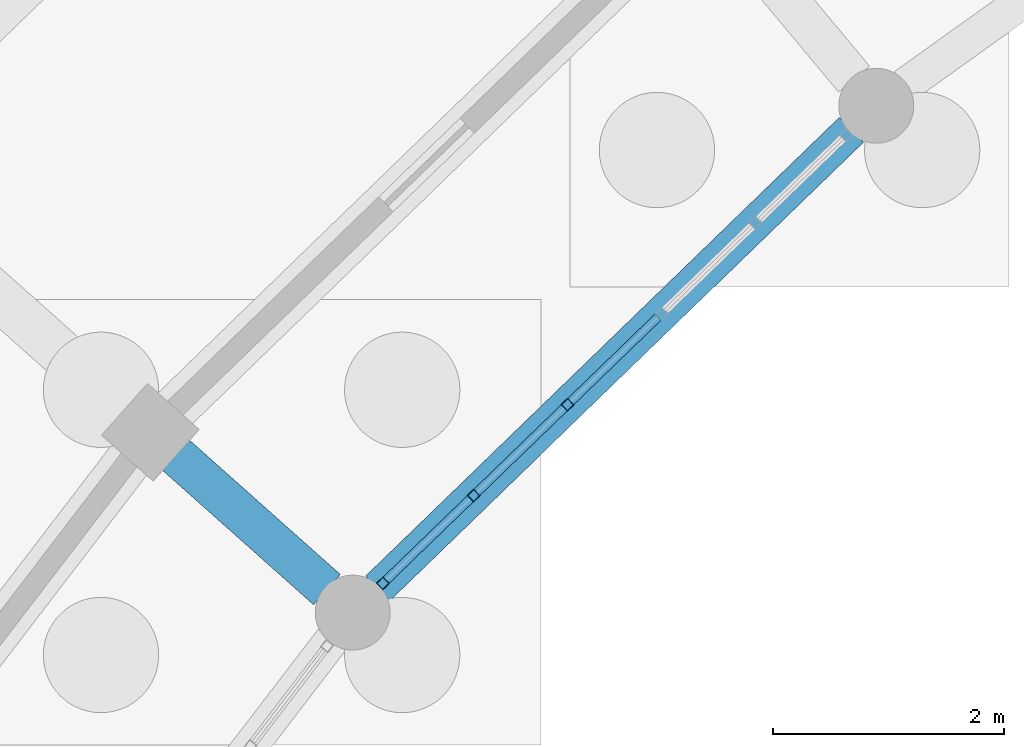
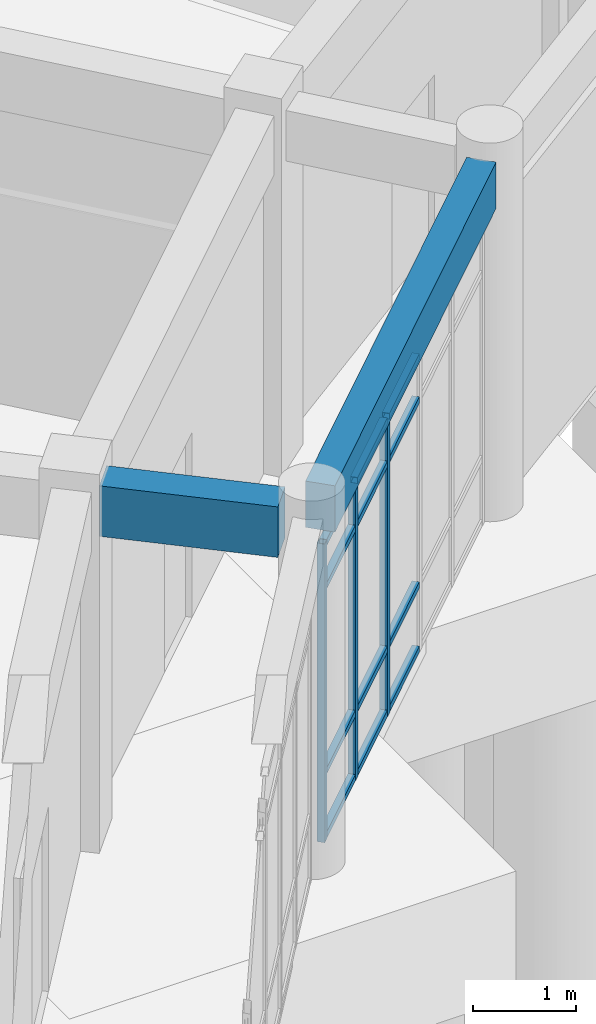
# One storey, part 68 of 153: 15 members, 2 beams, 1 element without a shape of its own.
"""IFC4 building model written with IfcOpenShell, lengths in metres."""

from ifc_helpers import new_model, si_unit, direction, frame, origin, origin_2d, place, context, subcontext, project, spatial, rectangle, hollow_rectangle, extrude, material, material_profile, profile_set, type_object, element, aggregate, save


model = new_model("IFC4")

# Units and contexts
model_context = context("Model", 3, precision=1e-05, world=origin(), true_north=direction((0.0, 1.0)))
body_context = subcontext(model_context, "Body", "Model", "MODEL_VIEW")
ifc_project = project(units=[si_unit("LENGTHUNIT", "METRE"), si_unit("AREAUNIT", "SQUARE_METRE"), si_unit("VOLUMEUNIT", "CUBIC_METRE"), si_unit("PLANEANGLEUNIT", "RADIAN"), si_unit("MASSUNIT", "GRAM", prefix="KILO")], contexts=[model_context])

# Site, building, storey
site_placement = place(None, origin())
site = spatial("IfcSite", under=ifc_project, at=site_placement, CompositionType="ELEMENT")
building_placement = place(site_placement, origin())
building = spatial("IfcBuilding", under=site, at=building_placement, Name="Celadon Cloister-Ring School", CompositionType="ELEMENT")
storey_placement = place(building_placement, origin())
storey = spatial("IfcBuildingStorey", under=building, at=storey_placement, Name="L00", CompositionType="ELEMENT", Elevation=0.0)

# Beam
ifc_material_1 = material(Name="Concrete C35/45", Category="concrete")
ifc_material_profile_1 = material_profile(ifc_material_1, rectangle(XDim=0.35009765625, YDim=0.60009765625, at=origin_2d()), Name="RC350X600")
ifc_profile_set_1 = profile_set([ifc_material_profile_1], Name="Concrete C35/45")
beam_type_1 = type_object("IfcBeamType", Name="BT-02", PredefinedType="BEAM", material=ifc_profile_set_1)
beam_1_placement = place(storey_placement, frame((53.60009765625, 88.7451171875, 3.97998046875), z_axis=(0.746969032985, -0.664858829949, 0.0), x_axis=(0.664858829949, 0.746969032985, 0.0)))
element("IfcBeam", 1, at=beam_1_placement, inside=storey, type_object=beam_type_1, Name="Beam 0006", PredefinedType="BEAM", context=body_context, shape_type="SweptSolid", body=[
    extrude(rectangle(XDim=0.35009765625, YDim=0.60009765625, at=origin_2d()), origin(), (0.0, 0.0, 1.0), 1.775146484375),
])

# Curtain wall, members
ifc_material_2 = material(Name="Aluminium EN AW-6063 T6", Category="aluminium")
curtain_wall_type = type_object("IfcCurtainWallType", Name="CW-01", PredefinedType="USERDEFINED", material=ifc_material_2)
curtain_wall_placement = place(storey_placement, origin())
curtain_wall = element("IfcCurtainWall", 2, at=curtain_wall_placement, inside=storey, type_object=curtain_wall_type, Name="Curtain Wall 0001", ObjectType="CURTAIN WALL", PredefinedType="USERDEFINED")
ifc_material_3 = material(Name="Aluminium EN AW-6063 T6", Category="aluminium")
ifc_material_profile_2 = material_profile(ifc_material_3, hollow_rectangle(XDim=0.080078125, YDim=0.080078125, WallThickness=0.00390625, at=origin_2d()), Name="RHS80X80X4")
ifc_profile_set_2 = profile_set([ifc_material_profile_2], Name="Aluminium EN AW-6063 T6")
member_type_1 = type_object("IfcMemberType", Name="CM-03", PredefinedType="MULLION", material=ifc_profile_set_2)
member_1_placement = place(storey_placement, frame((57.0126953125, 89.168212890625, 0.0), z_axis=(0.0, 0.0, 1.0), x_axis=(0.695459621292, -0.718565178082, 0.0)))
member_1 = element("IfcMember", 3, at=member_1_placement, type_object=member_type_1, Name="CW-01 mullion 4", PredefinedType="MULLION", context=body_context, shape_type="SweptSolid", body=[
    extrude(hollow_rectangle(XDim=0.080078125, YDim=0.080078125, WallThickness=0.00390625, at=origin_2d()), origin(), (0.0, 0.0, 1.0), 3.550048828125),
])
member_2_placement = place(storey_placement, frame((56.19775390625, 88.379638671875, 0.0), z_axis=(0.0, 0.0, 1.0), x_axis=(0.695459621292, -0.718565178082, 0.0)))
member_2 = element("IfcMember", 4, at=member_2_placement, type_object=member_type_1, Name="CW-01 mullion 5", PredefinedType="MULLION", context=body_context, shape_type="SweptSolid", body=[
    extrude(hollow_rectangle(XDim=0.080078125, YDim=0.080078125, WallThickness=0.00390625, at=origin_2d()), origin(), (0.0, 0.0, 1.0), 3.550048828125),
])
member_3_placement = place(storey_placement, frame((55.41162109375, 87.618896484375, 0.0), z_axis=(0.0, 0.0, 1.0), x_axis=(0.695459621292, -0.718565178082, 0.0)))
member_3 = element("IfcMember", 5, at=member_3_placement, type_object=member_type_1, Name="CW-01 mullion 6", PredefinedType="MULLION", context=body_context, shape_type="SweptSolid", body=[
    extrude(hollow_rectangle(XDim=0.080078125, YDim=0.080078125, WallThickness=0.00390625, at=origin_2d()), origin(), (0.0, 0.0, 1.0), 3.550048828125),
])
ifc_material_4 = material(Name="Aluminium EN AW-6063 T6", Category="aluminium")
ifc_material_profile_3 = material_profile(ifc_material_4, hollow_rectangle(XDim=0.074951171875, YDim=0.074951171875, WallThickness=0.00390625, at=origin_2d()), Name="RHS75X75X4")
ifc_profile_set_3 = profile_set([ifc_material_profile_3], Name="Aluminium EN AW-6063 T6")
member_type_2 = type_object("IfcMemberType", Name="CTM-03", PredefinedType="USERDEFINED", material=ifc_profile_set_3)
member_4_placement = place(storey_placement, frame((57.798583984375, 89.928955078125, 0.03759765625), z_axis=(-0.71859467299, -0.695429145169, 0.0), x_axis=(0.695429145169, -0.71859467299, 0.0)))
member_4 = element("IfcMember", 6, at=member_4_placement, type_object=member_type_2, Name="CW-01 transom 3.1", ObjectType="TRANSOM", PredefinedType="USERDEFINED", context=body_context, shape_type="SweptSolid", body=[
    extrude(hollow_rectangle(XDim=0.074951171875, YDim=0.074951171875, WallThickness=0.00390625, at=origin_2d()), origin(), (0.0, 0.0, 1.0), 1.053955078125),
])
member_5_placement = place(storey_placement, frame((57.798583984375, 89.928955078125, 0.800048828125), z_axis=(-0.71859467299, -0.695429145169, 0.0), x_axis=(0.695429145169, -0.71859467299, 0.0)))
member_5 = element("IfcMember", 7, at=member_5_placement, type_object=member_type_2, Name="CW-01 transom 3.2", ObjectType="TRANSOM", PredefinedType="USERDEFINED", context=body_context, shape_type="SweptSolid", body=[
    extrude(hollow_rectangle(XDim=0.074951171875, YDim=0.074951171875, WallThickness=0.00390625, at=origin_2d()), origin(), (0.0, 0.0, 1.0), 1.053955078125),
])
member_6_placement = place(storey_placement, frame((57.798583984375, 89.928955078125, 3.0), z_axis=(-0.71859467299, -0.695429145169, 0.0), x_axis=(0.695429145169, -0.71859467299, 0.0)))
member_6 = element("IfcMember", 8, at=member_6_placement, type_object=member_type_2, Name="CW-01 transom 3.3", ObjectType="TRANSOM", PredefinedType="USERDEFINED", context=body_context, shape_type="SweptSolid", body=[
    extrude(hollow_rectangle(XDim=0.074951171875, YDim=0.074951171875, WallThickness=0.00390625, at=origin_2d()), origin(), (0.0, 0.0, 1.0), 1.053955078125),
])
member_7_placement = place(storey_placement, frame((57.798583984375, 89.928955078125, 3.512451171875), z_axis=(-0.71859467299, -0.695429145169, 0.0), x_axis=(0.695429145169, -0.71859467299, 0.0)))
member_7 = element("IfcMember", 9, at=member_7_placement, type_object=member_type_2, Name="CW-01 transom 3.4", ObjectType="TRANSOM", PredefinedType="USERDEFINED", context=body_context, shape_type="SweptSolid", body=[
    extrude(hollow_rectangle(XDim=0.074951171875, YDim=0.074951171875, WallThickness=0.00390625, at=origin_2d()), origin(), (0.0, 0.0, 1.0), 1.053955078125),
])
member_8_placement = place(storey_placement, frame((56.98388671875, 89.140380859375, 0.03759765625), z_axis=(-0.71859467299, -0.695429145169, 0.0), x_axis=(0.695429145169, -0.71859467299, 0.0)))
member_8 = element("IfcMember", 10, at=member_8_placement, type_object=member_type_2, Name="CW-01 transom 4.1", ObjectType="TRANSOM", PredefinedType="USERDEFINED", context=body_context, shape_type="SweptSolid", body=[
    extrude(hollow_rectangle(XDim=0.074951171875, YDim=0.074951171875, WallThickness=0.00390625, at=origin_2d()), origin(), (0.0, 0.0, 1.0), 1.053955078125),
])
member_9_placement = place(storey_placement, frame((56.98388671875, 89.140380859375, 0.800048828125), z_axis=(-0.71859467299, -0.695429145169, 0.0), x_axis=(0.695429145169, -0.71859467299, 0.0)))
member_9 = element("IfcMember", 11, at=member_9_placement, type_object=member_type_2, Name="CW-01 transom 4.2", ObjectType="TRANSOM", PredefinedType="USERDEFINED", context=body_context, shape_type="SweptSolid", body=[
    extrude(hollow_rectangle(XDim=0.074951171875, YDim=0.074951171875, WallThickness=0.00390625, at=origin_2d()), origin(), (0.0, 0.0, 1.0), 1.053955078125),
])
member_10_placement = place(storey_placement, frame((56.98388671875, 89.140380859375, 3.0), z_axis=(-0.71859467299, -0.695429145169, 0.0), x_axis=(0.695429145169, -0.71859467299, 0.0)))
member_10 = element("IfcMember", 12, at=member_10_placement, type_object=member_type_2, Name="CW-01 transom 4.3", ObjectType="TRANSOM", PredefinedType="USERDEFINED", context=body_context, shape_type="SweptSolid", body=[
    extrude(hollow_rectangle(XDim=0.074951171875, YDim=0.074951171875, WallThickness=0.00390625, at=origin_2d()), origin(), (0.0, 0.0, 1.0), 1.053955078125),
])
member_11_placement = place(storey_placement, frame((56.98388671875, 89.140380859375, 3.512451171875), z_axis=(-0.71859467299, -0.695429145169, 0.0), x_axis=(0.695429145169, -0.71859467299, 0.0)))
member_11 = element("IfcMember", 13, at=member_11_placement, type_object=member_type_2, Name="CW-01 transom 4.4", ObjectType="TRANSOM", PredefinedType="USERDEFINED", context=body_context, shape_type="SweptSolid", body=[
    extrude(hollow_rectangle(XDim=0.074951171875, YDim=0.074951171875, WallThickness=0.00390625, at=origin_2d()), origin(), (0.0, 0.0, 1.0), 1.053955078125),
])
member_12_placement = place(storey_placement, frame((56.1689453125, 88.351806640625, 0.03759765625), z_axis=(-0.718571085746, -0.695453517304, 0.0), x_axis=(0.695453517304, -0.718571085746, 0.0)))
member_12 = element("IfcMember", 14, at=member_12_placement, type_object=member_type_2, Name="CW-01 transom 5.1", ObjectType="TRANSOM", PredefinedType="USERDEFINED", context=body_context, shape_type="SweptSolid", body=[
    extrude(hollow_rectangle(XDim=0.074951171875, YDim=0.074951171875, WallThickness=0.00390625, at=origin_2d()), origin(), (0.0, 0.0, 1.0), 1.013916015625),
])
member_13_placement = place(storey_placement, frame((56.1689453125, 88.351806640625, 0.800048828125), z_axis=(-0.718571085746, -0.695453517304, 0.0), x_axis=(0.695453517304, -0.718571085746, 0.0)))
member_13 = element("IfcMember", 15, at=member_13_placement, type_object=member_type_2, Name="CW-01 transom 5.2", ObjectType="TRANSOM", PredefinedType="USERDEFINED", context=body_context, shape_type="SweptSolid", body=[
    extrude(hollow_rectangle(XDim=0.074951171875, YDim=0.074951171875, WallThickness=0.00390625, at=origin_2d()), origin(), (0.0, 0.0, 1.0), 1.013916015625),
])
member_14_placement = place(storey_placement, frame((56.1689453125, 88.351806640625, 3.0), z_axis=(-0.718571085746, -0.695453517304, 0.0), x_axis=(0.695453517304, -0.718571085746, 0.0)))
member_14 = element("IfcMember", 16, at=member_14_placement, type_object=member_type_2, Name="CW-01 transom 5.3", ObjectType="TRANSOM", PredefinedType="USERDEFINED", context=body_context, shape_type="SweptSolid", body=[
    extrude(hollow_rectangle(XDim=0.074951171875, YDim=0.074951171875, WallThickness=0.00390625, at=origin_2d()), origin(), (0.0, 0.0, 1.0), 1.013916015625),
])
member_15_placement = place(storey_placement, frame((56.1689453125, 88.351806640625, 3.512451171875), z_axis=(-0.718571085746, -0.695453517304, 0.0), x_axis=(0.695453517304, -0.718571085746, 0.0)))
member_15 = element("IfcMember", 17, at=member_15_placement, type_object=member_type_2, Name="CW-01 transom 5.4", ObjectType="TRANSOM", PredefinedType="USERDEFINED", context=body_context, shape_type="SweptSolid", body=[
    extrude(hollow_rectangle(XDim=0.074951171875, YDim=0.074951171875, WallThickness=0.00390625, at=origin_2d()), origin(), (0.0, 0.0, 1.0), 1.013916015625),
])
aggregate(curtain_wall, [member_1, member_2, member_3, member_4, member_5, member_6, member_7, member_8, member_9, member_10, member_11, member_12, member_13, member_14, member_15])

# Beam
ifc_material_5 = material(Name="Concrete C35/45", Category="concrete")
ifc_material_profile_4 = material_profile(ifc_material_5, rectangle(XDim=0.300048828125, YDim=0.550048828125, at=origin_2d()), Name="RC300X550")
ifc_profile_set_4 = profile_set([ifc_material_profile_4], Name="Concrete C35/45")
beam_type_2 = type_object("IfcBeamType", Name="SP-02", PredefinedType="SPANDREL", material=ifc_profile_set_4)
beam_2_placement = place(storey_placement, frame((59.47412109375, 91.551025390625, 4.0048828125), z_axis=(-0.718478235211, -0.695549441469, 0.0), x_axis=(0.695549441469, -0.718478235211, 0.0)))
element("IfcBeam", 18, at=beam_2_placement, inside=storey, type_object=beam_type_2, Name="Beam 0075", PredefinedType="SPANDREL", context=body_context, shape_type="SweptSolid", body=[
    extrude(rectangle(XDim=0.300048828125, YDim=0.550048828125, at=origin_2d()), origin(), (0.0, 0.0, 1.0), 5.7177734375),
])

save(model, "model.ifc")
